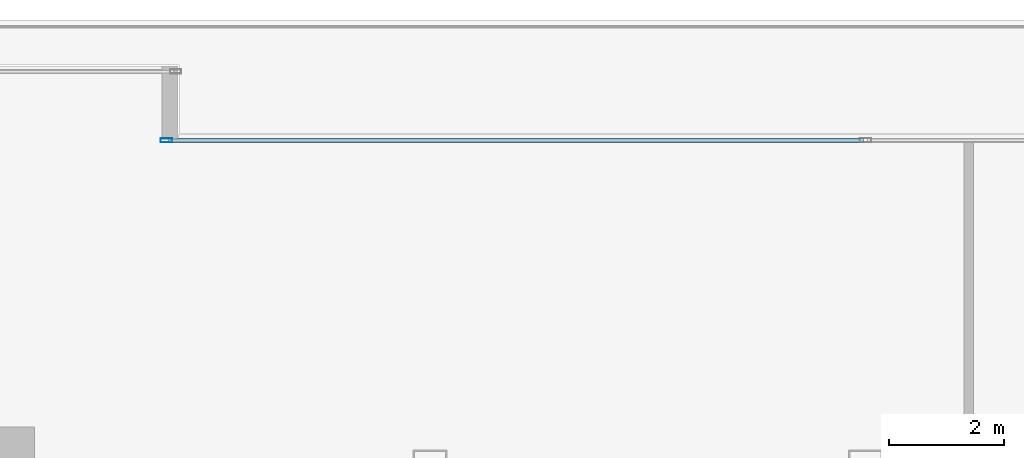
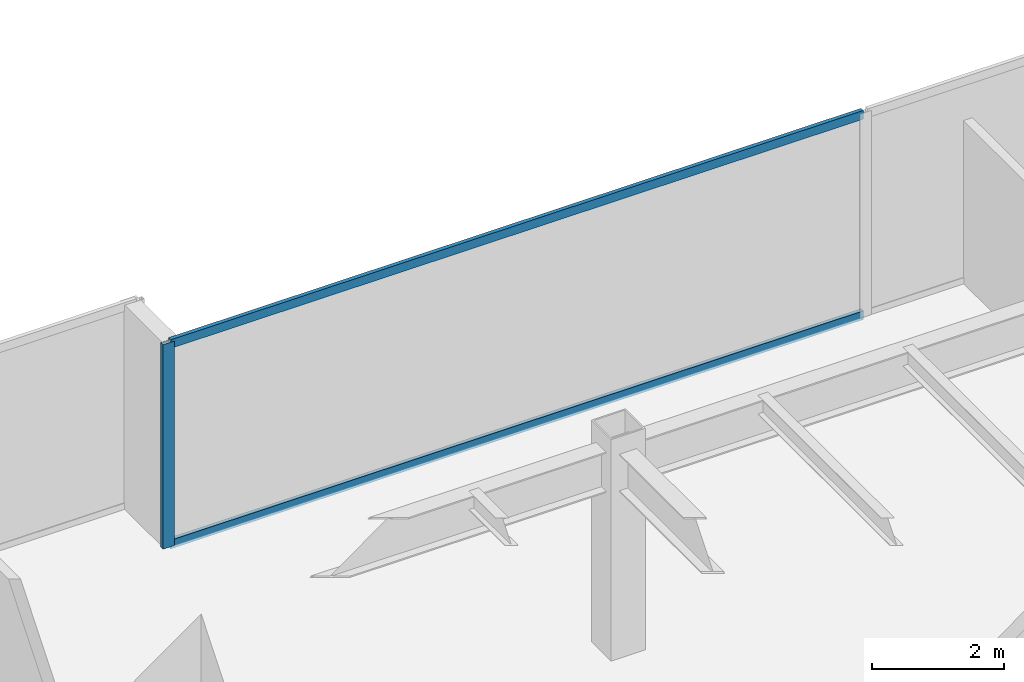
# One storey, part 14 of 36: 3 members, 1 element without a shape of its own.
"""IFC4 building model written with IfcOpenShell, lengths in metres."""

from ifc_helpers import new_model, si_unit, direction, frame, origin, origin_2d, place, context, subcontext, project, spatial, hollow_rectangle, extrude, source, transform, mapped, material, layer, layer_set, material_profile, profile_set, type_object, type_shapes, element, aggregate, save


model = new_model("IFC4")

# Units and contexts
model_context = context("Model", 3, precision=1e-05, world=origin(), true_north=direction((0.0, 1.0)))
body_context = subcontext(model_context, "Body", "Model", "MODEL_VIEW")
ifc_project = project(units=[si_unit("LENGTHUNIT", "METRE"), si_unit("AREAUNIT", "SQUARE_METRE"), si_unit("VOLUMEUNIT", "CUBIC_METRE"), si_unit("PLANEANGLEUNIT", "RADIAN"), si_unit("MASSUNIT", "GRAM", prefix="KILO")], contexts=[model_context])

# Site, building, storey
site_placement = place(None, origin())
site = spatial("IfcSite", under=ifc_project, at=site_placement, CompositionType="ELEMENT")
building_placement = place(site_placement, origin())
building = spatial("IfcBuilding", under=site, at=building_placement, Name="Haelvirn Gate Laboratories", CompositionType="ELEMENT")
storey_placement = place(building_placement, frame((0.0, 0.0, 25.199951171875)))
storey = spatial("IfcBuildingStorey", under=building, at=storey_placement, Name="L06", CompositionType="ELEMENT", Elevation=25.199951171875)

# Curtain wall, members
ifc_material_1 = material(Name="Anodised bronze unitised aluminium & triple low-E glass", Category="aluminium")
ifc_layer = layer(ifc_material_1, 0.18408203125, Name="CW-SYS-2")
ifc_layer_set = layer_set([ifc_layer], Name="Anodised bronze unitised aluminium & triple low-E glass")
curtain_wall_type = type_object("IfcCurtainWallType", Name="CW-SYS-2", PredefinedType="NOTDEFINED", material=ifc_layer_set)
curtain_wall_placement = place(storey_placement, origin())
curtain_wall = element("IfcCurtainWall", 1, at=curtain_wall_placement, inside=storey, type_object=curtain_wall_type, Name="L06 Unitised Curtain Wall CW-L06-P0-E12-1", PredefinedType="NOTDEFINED")
ifc_material_2 = material(Name="Extruded aluminium 6063-T6 (anodised bronze)", Category="aluminium")
ifc_material_profile_1 = material_profile(ifc_material_2, hollow_rectangle(XDim=0.074951171875, YDim=0.199951171875, WallThickness=0.0048828125, at=origin_2d()), Name="CWM-200x75x5")
ifc_profile_set_1 = profile_set([ifc_material_profile_1], Name="Extruded aluminium 6063-T6 (anodised bronze)")
member_type_1 = type_object("IfcMemberType", Name="CWM-T200", PredefinedType="MULLION", material=ifc_profile_set_1)
shared_shape_1 = source(origin(), body_context, "Body", "SweptSolid", [
    extrude(hollow_rectangle(XDim=0.074951171875, YDim=0.199951171875, WallThickness=0.0048828125, at=origin_2d()), origin(), (0.0, 0.0, 1.0), 3.780029296875),
])
type_shapes(member_type_1, [shared_shape_1])
member_1_placement = place(storey_placement, frame((25.197509765625, 47.300048828125, 0.0), z_axis=(0.0, 0.0, 1.0), x_axis=(0.0, 1.0, 0.0)))
member_1 = element("IfcMember", 2, at=member_1_placement, type_object=member_type_1, Name="CW2 mullion 1", PredefinedType="MULLION", context=body_context, shape_type="MappedRepresentation", body=[
    mapped(shared_shape_1, transform((0.0, 0.0, 0.0), scale=1.0)),
])
ifc_material_profile_2 = material_profile(ifc_material_2, hollow_rectangle(XDim=0.070068359375, YDim=0.159912109375, WallThickness=0.0048828125, at=origin_2d()), Name="CWT-160x70x5")
ifc_profile_set_2 = profile_set([ifc_material_profile_2], Name="Extruded aluminium 6063-T6 (anodised bronze)")
member_type_2 = type_object("IfcMemberType", Name="CWT-T160", PredefinedType="USERDEFINED", material=ifc_profile_set_2)
shared_shape_2 = source(origin(), body_context, "Body", "SweptSolid", [
    extrude(hollow_rectangle(XDim=0.070068359375, YDim=0.159912109375, WallThickness=0.0048828125, at=origin_2d()), origin(), (0.0, 0.0, 1.0), 12.12744140625),
])
type_shapes(member_type_2, [shared_shape_2])
member_2_placement = place(storey_placement, frame((25.235107421875, 47.300048828125, 0.03515625), z_axis=(1.0, 0.0, 0.0), x_axis=(0.0, 1.0, 0.0)))
member_2 = element("IfcMember", 3, at=member_2_placement, type_object=member_type_2, Name="CW2 transom 1.1", ObjectType="TRANSOM", PredefinedType="USERDEFINED", context=body_context, shape_type="MappedRepresentation", body=[
    mapped(shared_shape_2, transform((0.0, 0.0, 0.0), scale=1.0)),
])
member_3_placement = place(storey_placement, frame((25.235107421875, 47.300048828125, 3.7451171875), z_axis=(1.0, 0.0, 0.0), x_axis=(0.0, 1.0, 0.0)))
member_3 = element("IfcMember", 4, at=member_3_placement, type_object=member_type_2, Name="CW2 transom 1.2", ObjectType="TRANSOM", PredefinedType="USERDEFINED", context=body_context, shape_type="MappedRepresentation", body=[
    mapped(shared_shape_2, transform((0.0, 0.0, 0.0), scale=1.0)),
])
aggregate(curtain_wall, [member_1, member_2, member_3])

save(model, "model.ifc")
